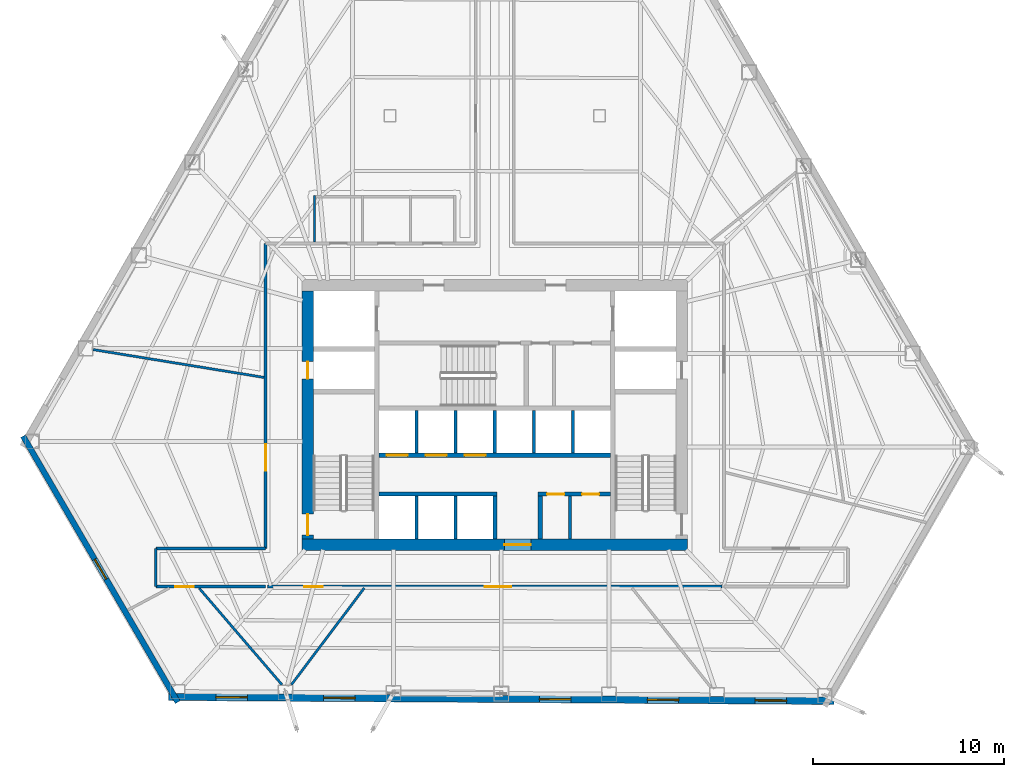
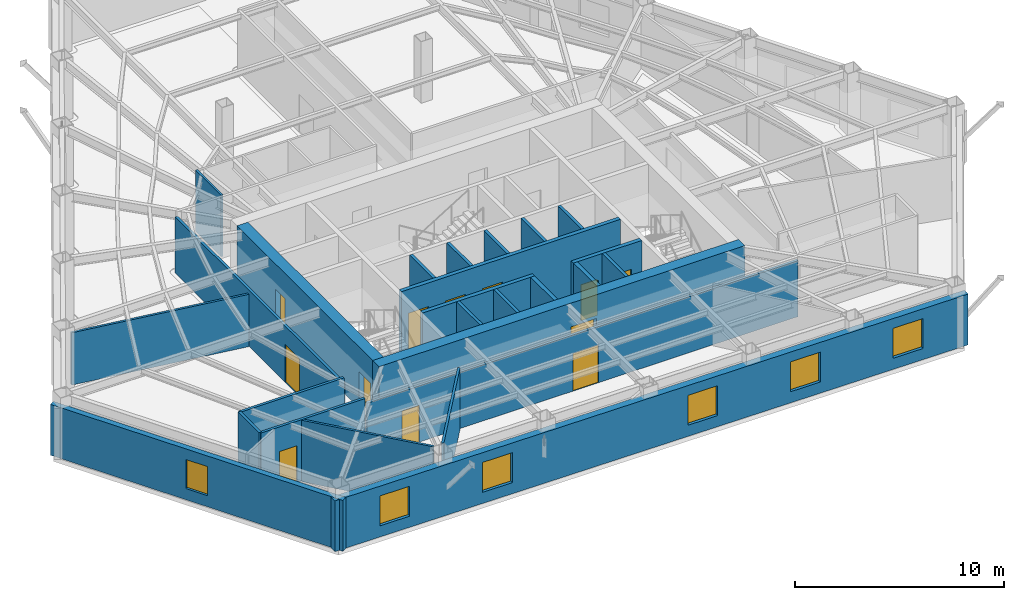
# One storey, part 7 of 12: 26 walls, 12 doors, 6 windows, 18 openings.
"""IFC4 building model written with IfcOpenShell, lengths in metres."""

from ifc_helpers import new_model, si_unit, direction, frame, frame_2d, origin, place, context, subcontext, project, spatial, rectangle, extrude, material, layer, layer_set, type_object, element, fill, save


model = new_model("IFC4")

# Units and contexts
model_context = context("Model", 3, precision=1e-05, world=origin(), true_north=direction((0.0, 1.0)))
body_context = subcontext(model_context, "Body", "Model", "MODEL_VIEW")
ifc_project = project(units=[si_unit("LENGTHUNIT", "METRE"), si_unit("AREAUNIT", "SQUARE_METRE"), si_unit("VOLUMEUNIT", "CUBIC_METRE"), si_unit("PLANEANGLEUNIT", "RADIAN"), si_unit("MASSUNIT", "GRAM", prefix="KILO")], contexts=[model_context])

# Site, building, storey
site_placement = place(None, origin())
site = spatial("IfcSite", under=ifc_project, at=site_placement, CompositionType="ELEMENT")
building_placement = place(site_placement, origin())
building = spatial("IfcBuilding", under=site, at=building_placement, Name="Kavelnor Concourse Tower", CompositionType="ELEMENT")
storey_placement = place(building_placement, frame((0.0, 0.0, 44.5)))
storey = spatial("IfcBuildingStorey", under=building, at=storey_placement, Name="L11", CompositionType="ELEMENT", Elevation=44.5)

# Wall, opening, door
ifc_material_1 = material(Name="Concrete C60/75", Category="concrete")
ifc_layer_1 = layer(ifc_material_1, 0.60009765625, Name="Concrete C60/75")
ifc_layer_set_1 = layer_set([ifc_layer_1], Name="Concrete C60/75")
wall_type_1 = type_object("IfcWallType", Name="WL-CORE-Z1-600", PredefinedType="SOLIDWALL", material=ifc_layer_set_1)
wall_1_placement = place(storey_placement, frame((27.8798828125, 9.300048828125, 0.0), z_axis=(0.0, 0.0, 1.0), x_axis=(1.0, 0.0, 0.0)))
wall_1 = element("IfcWall", 1, at=wall_1_placement, inside=storey, type_object=wall_type_1, Name="L11 Central Core South Shear Wall", PredefinedType="SOLIDWALL", context=body_context, shape_type="SweptSolid", body=[
    extrude(rectangle(XDim=20.240234375, YDim=0.60009765625, at=frame_2d((10.1201171875, 0.0))), origin(), (0.0, 0.0, 1.0), 3.590087890625),
])
opening_1_placement = place(wall_1_placement, frame((10.6201171875, 0.0, 0.0)))
opening_1 = element("IfcOpeningElement", 2, at=opening_1_placement, cuts=wall_1, Name="Opening SD-140", PredefinedType="OPENING", context=body_context, shape_type="SweptSolid", body=[
    extrude(rectangle(XDim=1.39990234375, YDim=2.199951171875, at=frame_2d((0.699951171875, 1.10009765625))), frame((0.0, 0.31005859375, 0.0), z_axis=(0.0, -1.0, 0.0), x_axis=(1.0, 0.0, 0.0)), (0.0, 0.0, 1.0), 0.6201171875),
])
ifc_material_2 = material(Name="Solid-core hardwood timber", Category="wood")
door_type_1 = type_object("IfcDoorType", Name="DR-SUITE-ENTRY-1400", OperationType="NOTDEFINED", PredefinedType="DOOR", material=ifc_material_2)
door_1_placement = place(opening_1_placement, origin())
door_1 = element("IfcDoor", 3, at=door_1_placement, inside=storey, type_object=door_type_1, Name="L11 Passenger Lift Lobby Entry Door", OperationType="SINGLE_SWING_RIGHT", OverallHeight=2.199951171875, OverallWidth=1.39990234375, PredefinedType="DOOR", context=body_context, shape_type="SweptSolid", body=[
    extrude(rectangle(XDim=1.39990234375, YDim=2.199951171875, at=frame_2d((0.699951171875, 1.10009765625))), frame((0.0, 0.02490234375, 0.0), z_axis=(0.0, -1.0, 0.0), x_axis=(1.0, 0.0, 0.0)), (0.0, 0.0, 1.0), 0.050048828125),
])
fill(opening_1, door_1)

# Wall, openings, doors
wall_2_placement = place(storey_placement, frame((28.179931640625, 9.60009765625, 0.0), z_axis=(0.0, 0.0, 1.0), x_axis=(0.0, 1.0, 0.0)))
wall_2 = element("IfcWall", 4, at=wall_2_placement, inside=storey, type_object=wall_type_1, Name="L11 Central Core West Shear Wall", PredefinedType="SOLIDWALL", context=body_context, shape_type="SweptSolid", body=[
    extrude(rectangle(XDim=13.0, YDim=0.60009765625, at=frame_2d((6.5, 0.0))), origin(), (0.0, 0.0, 1.0), 3.590087890625),
])
opening_2_placement = place(wall_2_placement, frame((0.199951171875, 0.0, 0.0)))
opening_2 = element("IfcOpeningElement", 5, at=opening_2_placement, cuts=wall_2, Name="Opening FD-110", PredefinedType="OPENING", context=body_context, shape_type="SweptSolid", body=[
    extrude(rectangle(XDim=1.10009765625, YDim=2.14990234375, at=frame_2d((0.550048828125, 1.074951171875))), frame((0.0, 0.31005859375, 0.0), z_axis=(0.0, -1.0, 0.0), x_axis=(1.0, 0.0, 0.0)), (0.0, 0.0, 1.0), 0.6201171875),
])
opening_3_placement = place(wall_2_placement, frame((8.39990234375, 0.0, 0.0)))
opening_3 = element("IfcOpeningElement", 6, at=opening_3_placement, cuts=wall_2, Name="Opening FD-090", PredefinedType="OPENING", context=body_context, shape_type="SweptSolid", body=[
    extrude(rectangle(XDim=0.89990234375, YDim=2.10009765625, at=frame_2d((0.449951171875, 1.050048828125))), frame((0.0, 0.31005859375, 0.0), z_axis=(0.0, -1.0, 0.0), x_axis=(1.0, 0.0, 0.0)), (0.0, 0.0, 1.0), 0.6201171875),
])
ifc_material_3 = material(Name="Steel Grade 350", Category="steel")
door_type_2 = type_object("IfcDoorType", Name="DR-RISER-FIRE-900", OperationType="NOTDEFINED", PredefinedType="DOOR", material=ifc_material_3)
door_2_placement = place(opening_3_placement, origin())
door_2 = element("IfcDoor", 7, at=door_2_placement, inside=storey, type_object=door_type_2, Name="L11 West Riser Access Door", OperationType="SINGLE_SWING_RIGHT", OverallHeight=2.10009765625, OverallWidth=0.89990234375, PredefinedType="DOOR", context=body_context, shape_type="SweptSolid", body=[
    extrude(rectangle(XDim=0.89990234375, YDim=2.10009765625, at=frame_2d((0.449951171875, 1.050048828125))), frame((0.0, 0.02490234375, 0.0), z_axis=(0.0, -1.0, 0.0), x_axis=(1.0, 0.0, 0.0)), (0.0, 0.0, 1.0), 0.050048828125),
])
fill(opening_3, door_2)
door_type_3 = type_object("IfcDoorType", Name="DR-STAIR-FIRE-1100", OperationType="NOTDEFINED", PredefinedType="DOOR", material=ifc_material_3)
door_3_placement = place(opening_2_placement, origin())
door_3 = element("IfcDoor", 8, at=door_3_placement, inside=storey, type_object=door_type_3, Name="L11 Stair ST1 Fire Door", OperationType="SINGLE_SWING_LEFT", OverallHeight=2.14990234375, OverallWidth=1.10009765625, PredefinedType="DOOR", context=body_context, shape_type="SweptSolid", body=[
    extrude(rectangle(XDim=1.10009765625, YDim=2.14990234375, at=frame_2d((0.550048828125, 1.074951171875))), frame((0.0, 0.02490234375, 0.0), z_axis=(0.0, -1.0, 0.0), x_axis=(1.0, 0.0, 0.0)), (0.0, 0.0, 1.0), 0.050048828125),
])
fill(opening_2, door_3)

# Wall, opening, window
ifc_material_4 = material(Name="Buff ironspot clay face brick masonry", Category="masonry")
ifc_layer_2 = layer(ifc_material_4, 0.300048828125, Name="Buff ironspot clay face brick masonry")
ifc_layer_set_2 = layer_set([ifc_layer_2], Name="Buff ironspot clay face brick masonry")
wall_type_2 = type_object("IfcWallType", Name="WL-EXT-BUFF-BRICK-FOLD-300", PredefinedType="STANDARD", material=ifc_layer_set_2)
wall_3_placement = place(storey_placement, frame((21.372802734375, 1.032958984375, 0.0), z_axis=(0.0, 0.0, 1.0), x_axis=(-0.502582346065, 0.864529343298, 0.0)))
wall_3 = element("IfcWall", 9, at=wall_3_placement, inside=storey, type_object=wall_type_2, Name="L11 Exterior Brick Facade Wall E2", PredefinedType="STANDARD", context=body_context, shape_type="SweptSolid", body=[
    extrude(rectangle(XDim=16.14453125, YDim=0.300048828125, at=frame_2d((8.072265625, 0.0))), origin(), (0.0, 0.0, 1.0), 2.969970703125),
])
opening_4_placement = place(wall_3_placement, frame((7.47216796875, 0.0, 0.64990234375)))
opening_4 = element("IfcOpeningElement", 10, at=opening_4_placement, cuts=wall_3, Name="Opening W-05", PredefinedType="OPENING", context=body_context, shape_type="SweptSolid", body=[
    extrude(rectangle(XDim=1.199951171875, YDim=1.699951171875, at=frame_2d((0.60009765625, 0.85009765625))), frame((0.0, 0.16015625, 0.0), z_axis=(0.0, -1.0, 0.0), x_axis=(1.0, 0.0, 0.0)), (0.0, 0.0, 1.0), 0.320068359375),
])
ifc_material_5 = material(Name="Double low-E argon insulated glazing", Category="glass")
window_type_1 = type_object("IfcWindowType", Name="WIN-FOLD-1200", PartitioningType="SINGLE_PANEL", PredefinedType="WINDOW", material=ifc_material_5)
window_1_placement = place(opening_4_placement, origin())
window_1 = element("IfcWindow", 11, at=window_1_placement, inside=storey, type_object=window_type_1, Name="L11 Chamfer-Fold Facet Window C1", OverallHeight=1.699951171875, OverallWidth=1.199951171875, PartitioningType="SINGLE_PANEL", PredefinedType="WINDOW", context=body_context, shape_type="SweptSolid", body=[
    extrude(rectangle(XDim=1.199951171875, YDim=1.699951171875, at=frame_2d((0.60009765625, 0.85009765625))), frame((0.0, 0.030029296875, 0.0), z_axis=(0.0, -1.0, 0.0), x_axis=(1.0, 0.0, 0.0)), (0.0, 0.0, 1.0), 0.06005859375),
])
fill(opening_4, window_1)

# Wall, openings, windows
ifc_material_6 = material(Name="Red-ochre clay face brick masonry", Category="masonry")
ifc_layer_3 = layer(ifc_material_6, 0.3798828125, Name="Red-ochre clay face brick masonry")
ifc_layer_set_3 = layer_set([ifc_layer_3], Name="Red-ochre clay face brick masonry")
wall_type_3 = type_object("IfcWallType", Name="WL-EXT-RED-BRICK-PIER-380", PredefinedType="STANDARD", material=ifc_layer_set_3)
wall_4_placement = place(storey_placement, frame((55.793701171875, 1.1025390625, 0.0), z_axis=(0.0, 0.0, 1.0), x_axis=(-0.999982073771, 0.005987665294, 0.0)))
wall_4 = element("IfcWall", 12, at=wall_4_placement, inside=storey, type_object=wall_type_3, Name="L11 Exterior Brick Facade Wall E3", PredefinedType="STANDARD", context=body_context, shape_type="SweptSolid", body=[
    extrude(rectangle(XDim=34.902587890625, YDim=0.3798828125, at=frame_2d((17.451171875, 0.0))), origin(), (0.0, 0.0, 1.0), 2.969970703125),
])
opening_5_placement = place(wall_4_placement, frame((30.774169921875, 0.0, 0.64990234375)))
opening_5 = element("IfcOpeningElement", 13, at=opening_5_placement, cuts=wall_4, Name="Opening W-01", PredefinedType="OPENING", context=body_context, shape_type="SweptSolid", body=[
    extrude(rectangle(XDim=1.64990234375, YDim=1.75, at=frame_2d((0.824951171875, 0.875))), frame((0.0, 0.199951171875, 0.0), z_axis=(0.0, -1.0, 0.0), x_axis=(1.0, 0.0, 0.0)), (0.0, 0.0, 1.0), 0.39990234375),
])
opening_6_placement = place(wall_4_placement, frame((25.1162109375, 0.0, 0.64990234375)))
opening_6 = element("IfcOpeningElement", 14, at=opening_6_placement, cuts=wall_4, Name="Opening W-01", PredefinedType="OPENING", context=body_context, shape_type="SweptSolid", body=[
    extrude(rectangle(XDim=1.64990234375, YDim=1.75, at=frame_2d((0.824951171875, 0.875))), frame((0.0, 0.199951171875, 0.0), z_axis=(0.0, -1.0, 0.0), x_axis=(1.0, 0.0, 0.0)), (0.0, 0.0, 1.0), 0.39990234375),
])
opening_7_placement = place(wall_4_placement, frame((13.800048828125, 0.0, 0.64990234375)))
opening_7 = element("IfcOpeningElement", 15, at=opening_7_placement, cuts=wall_4, Name="Opening W-01", PredefinedType="OPENING", context=body_context, shape_type="SweptSolid", body=[
    extrude(rectangle(XDim=1.64990234375, YDim=1.75, at=frame_2d((0.824951171875, 0.875))), frame((0.0, 0.199951171875, 0.0), z_axis=(0.0, -1.0, 0.0), x_axis=(1.0, 0.0, 0.0)), (0.0, 0.0, 1.0), 0.39990234375),
])
opening_8_placement = place(wall_4_placement, frame((8.14208984375, 0.0, 0.64990234375)))
opening_8 = element("IfcOpeningElement", 16, at=opening_8_placement, cuts=wall_4, Name="Opening W-01", PredefinedType="OPENING", context=body_context, shape_type="SweptSolid", body=[
    extrude(rectangle(XDim=1.64990234375, YDim=1.75, at=frame_2d((0.824951171875, 0.875))), frame((0.0, 0.199951171875, 0.0), z_axis=(0.0, -1.0, 0.0), x_axis=(1.0, 0.0, 0.0)), (0.0, 0.0, 1.0), 0.39990234375),
])
opening_9_placement = place(wall_4_placement, frame((2.48388671875, 0.0, 0.64990234375)))
opening_9 = element("IfcOpeningElement", 17, at=opening_9_placement, cuts=wall_4, Name="Opening W-01", PredefinedType="OPENING", context=body_context, shape_type="SweptSolid", body=[
    extrude(rectangle(XDim=1.64990234375, YDim=1.75, at=frame_2d((0.824951171875, 0.875))), frame((0.0, 0.199951171875, 0.0), z_axis=(0.0, -1.0, 0.0), x_axis=(1.0, 0.0, 0.0)), (0.0, 0.0, 1.0), 0.39990234375),
])
window_type_2 = type_object("IfcWindowType", Name="WIN-PIER-Z1-1800", PartitioningType="SINGLE_PANEL", PredefinedType="WINDOW", material=ifc_material_5)
window_2_placement = place(opening_5_placement, origin())
window_2 = element("IfcWindow", 18, at=window_2_placement, inside=storey, type_object=window_type_2, Name="L11 Deep-Set Brick Pier Window F1-B0", OverallHeight=1.75, OverallWidth=1.64990234375, PartitioningType="SINGLE_PANEL", PredefinedType="WINDOW", context=body_context, shape_type="SweptSolid", body=[
    extrude(rectangle(XDim=1.64990234375, YDim=1.75, at=frame_2d((0.824951171875, 0.875))), frame((0.0, 0.030029296875, 0.0), z_axis=(0.0, -1.0, 0.0), x_axis=(1.0, 0.0, 0.0)), (0.0, 0.0, 1.0), 0.06005859375),
])
fill(opening_5, window_2)
window_3_placement = place(opening_6_placement, origin())
window_3 = element("IfcWindow", 19, at=window_3_placement, inside=storey, type_object=window_type_2, Name="L11 Deep-Set Brick Pier Window F1-B1", OverallHeight=1.75, OverallWidth=1.64990234375, PartitioningType="SINGLE_PANEL", PredefinedType="WINDOW", context=body_context, shape_type="SweptSolid", body=[
    extrude(rectangle(XDim=1.64990234375, YDim=1.75, at=frame_2d((0.824951171875, 0.875))), frame((0.0, 0.030029296875, 0.0), z_axis=(0.0, -1.0, 0.0), x_axis=(1.0, 0.0, 0.0)), (0.0, 0.0, 1.0), 0.06005859375),
])
fill(opening_6, window_3)
window_4_placement = place(opening_7_placement, origin())
window_4 = element("IfcWindow", 20, at=window_4_placement, inside=storey, type_object=window_type_2, Name="L11 Deep-Set Brick Pier Window F1-B3", OverallHeight=1.75, OverallWidth=1.64990234375, PartitioningType="SINGLE_PANEL", PredefinedType="WINDOW", context=body_context, shape_type="SweptSolid", body=[
    extrude(rectangle(XDim=1.64990234375, YDim=1.75, at=frame_2d((0.824951171875, 0.875))), frame((0.0, 0.030029296875, 0.0), z_axis=(0.0, -1.0, 0.0), x_axis=(1.0, 0.0, 0.0)), (0.0, 0.0, 1.0), 0.06005859375),
])
fill(opening_7, window_4)
window_5_placement = place(opening_8_placement, origin())
window_5 = element("IfcWindow", 21, at=window_5_placement, inside=storey, type_object=window_type_2, Name="L11 Deep-Set Brick Pier Window F1-B4", OverallHeight=1.75, OverallWidth=1.64990234375, PartitioningType="SINGLE_PANEL", PredefinedType="WINDOW", context=body_context, shape_type="SweptSolid", body=[
    extrude(rectangle(XDim=1.64990234375, YDim=1.75, at=frame_2d((0.824951171875, 0.875))), frame((0.0, 0.030029296875, 0.0), z_axis=(0.0, -1.0, 0.0), x_axis=(1.0, 0.0, 0.0)), (0.0, 0.0, 1.0), 0.06005859375),
])
fill(opening_8, window_5)
window_6_placement = place(opening_9_placement, origin())
window_6 = element("IfcWindow", 22, at=window_6_placement, inside=storey, type_object=window_type_2, Name="L11 Deep-Set Brick Pier Window F1-B5", OverallHeight=1.75, OverallWidth=1.64990234375, PartitioningType="SINGLE_PANEL", PredefinedType="WINDOW", context=body_context, shape_type="SweptSolid", body=[
    extrude(rectangle(XDim=1.64990234375, YDim=1.75, at=frame_2d((0.824951171875, 0.875))), frame((0.0, 0.030029296875, 0.0), z_axis=(0.0, -1.0, 0.0), x_axis=(1.0, 0.0, 0.0)), (0.0, 0.0, 1.0), 0.06005859375),
])
fill(opening_9, window_6)

# Wall
ifc_material_7 = material(Name="Gypsum plasterboard on light-gauge steel studs", Category="steel")
ifc_layer_4 = layer(ifc_material_7, 0.14501953125, Name="Gypsum plasterboard on light-gauge steel studs")
ifc_layer_set_4 = layer_set([ifc_layer_4], Name="Gypsum plasterboard on light-gauge steel studs")
wall_type_4 = type_object("IfcWallType", Name="WL-INT-CORR-145", PredefinedType="PARTITIONING", material=ifc_layer_set_4)
wall_5_placement = place(storey_placement, frame((20.22265625, 9.10009765625, 0.0), z_axis=(0.0, 0.0, 1.0), x_axis=(1.0, 0.0, 0.0)))
element("IfcWall", 23, at=wall_5_placement, inside=storey, type_object=wall_type_4, Name="L11 Corridor Wall WL-L11-CR-01", PredefinedType="PARTITIONING", context=body_context, shape_type="SweptSolid", body=[
    extrude(rectangle(XDim=5.75732421875, YDim=0.14501953125, at=frame_2d((2.878662109375, 0.0))), origin(), (0.0, 0.0, 1.0), 3.590087890625),
])

# Wall, opening, door
wall_6_placement = place(storey_placement, frame((25.97998046875, 9.10009765625, 0.0), z_axis=(0.0, 0.0, 1.0), x_axis=(0.0, 1.0, 0.0)))
wall_6 = element("IfcWall", 24, at=wall_6_placement, inside=storey, type_object=wall_type_4, Name="L11 Corridor Wall WL-L11-CR-02", PredefinedType="PARTITIONING", context=body_context, shape_type="SweptSolid", body=[
    extrude(rectangle(XDim=16.0, YDim=0.14501953125, at=frame_2d((8.0, 0.0))), origin(), (0.0, 0.0, 1.0), 3.278076171875),
])
opening_10_placement = place(wall_6_placement, frame((4.070068359375, 0.0, 0.0)))
opening_10 = element("IfcOpeningElement", 25, at=opening_10_placement, cuts=wall_6, Name="Opening SD-140", PredefinedType="OPENING", context=body_context, shape_type="SweptSolid", body=[
    extrude(rectangle(XDim=1.39990234375, YDim=2.199951171875, at=frame_2d((0.699951171875, 1.10009765625))), frame((0.0, 0.08251953125, 0.0), z_axis=(0.0, -1.0, 0.0), x_axis=(1.0, 0.0, 0.0)), (0.0, 0.0, 1.0), 0.1650390625),
])
door_4_placement = place(opening_10_placement, origin())
door_4 = element("IfcDoor", 26, at=door_4_placement, inside=storey, type_object=door_type_1, Name="L11 Tenant Bookstore Retail Shop 04 Door", OperationType="SINGLE_SWING_RIGHT", OverallHeight=2.199951171875, OverallWidth=1.39990234375, PredefinedType="DOOR", context=body_context, shape_type="SweptSolid", body=[
    extrude(rectangle(XDim=1.39990234375, YDim=2.199951171875, at=frame_2d((0.699951171875, 1.10009765625))), frame((0.0, 0.02490234375, 0.0), z_axis=(0.0, -1.0, 0.0), x_axis=(1.0, 0.0, 0.0)), (0.0, 0.0, 1.0), 0.050048828125),
])
fill(opening_10, door_4)

# Wall, openings, doors
wall_7_placement = place(storey_placement, frame((49.919921875, 7.10009765625, 0.0), z_axis=(0.0, 0.0, 1.0), x_axis=(-1.0, 0.0, 0.0)))
wall_7 = element("IfcWall", 27, at=wall_7_placement, inside=storey, type_object=wall_type_4, Name="L11 Corridor Wall WL-L11-CR-12", PredefinedType="PARTITIONING", context=body_context, shape_type="SweptSolid", body=[
    extrude(rectangle(XDim=23.83984375, YDim=0.14501953125, at=frame_2d((11.919921875, 0.0))), origin(), (0.0, 0.0, 1.0), 3.278076171875),
])
opening_11_placement = place(wall_7_placement, frame((20.934814453125, 0.0, 0.0)))
opening_11 = element("IfcOpeningElement", 28, at=opening_11_placement, cuts=wall_7, Name="Opening OD-098", PredefinedType="OPENING", context=body_context, shape_type="SweptSolid", body=[
    extrude(rectangle(XDim=0.97998046875, YDim=2.14990234375, at=frame_2d((0.489990234375, 1.074951171875))), frame((0.0, 0.08251953125, 0.0), z_axis=(0.0, -1.0, 0.0), x_axis=(1.0, 0.0, 0.0)), (0.0, 0.0, 1.0), 0.1650390625),
])
opening_12_placement = place(wall_7_placement, frame((11.043212890625, 0.0, 0.0)))
opening_12 = element("IfcOpeningElement", 29, at=opening_12_placement, cuts=wall_7, Name="Opening SD-140", PredefinedType="OPENING", context=body_context, shape_type="SweptSolid", body=[
    extrude(rectangle(XDim=1.39990234375, YDim=2.199951171875, at=frame_2d((0.699951171875, 1.10009765625))), frame((0.0, 0.08251953125, 0.0), z_axis=(0.0, -1.0, 0.0), x_axis=(1.0, 0.0, 0.0)), (0.0, 0.0, 1.0), 0.1650390625),
])
door_type_4 = type_object("IfcDoorType", Name="DR-OFFICE-980", OperationType="NOTDEFINED", PredefinedType="DOOR", material=ifc_material_2)
door_5_placement = place(opening_11_placement, origin())
door_5 = element("IfcDoor", 30, at=door_5_placement, inside=storey, type_object=door_type_4, Name="L11 Tenant Bookstore Retail Shop 05 Door", OperationType="SINGLE_SWING_LEFT", OverallHeight=2.14990234375, OverallWidth=0.97998046875, PredefinedType="DOOR", context=body_context, shape_type="SweptSolid", body=[
    extrude(rectangle(XDim=0.97998046875, YDim=2.14990234375, at=frame_2d((0.489990234375, 1.074951171875))), frame((0.0, 0.02490234375, 0.0), z_axis=(0.0, -1.0, 0.0), x_axis=(1.0, 0.0, 0.0)), (0.0, 0.0, 1.0), 0.050048828125),
])
fill(opening_11, door_5)
door_6_placement = place(opening_12_placement, origin())
door_6 = element("IfcDoor", 31, at=door_6_placement, inside=storey, type_object=door_type_1, Name="L11 Workplace Open Office 07 Door", OperationType="SINGLE_SWING_LEFT", OverallHeight=2.199951171875, OverallWidth=1.39990234375, PredefinedType="DOOR", context=body_context, shape_type="SweptSolid", body=[
    extrude(rectangle(XDim=1.39990234375, YDim=2.199951171875, at=frame_2d((0.699951171875, 1.10009765625))), frame((0.0, 0.02490234375, 0.0), z_axis=(0.0, -1.0, 0.0), x_axis=(1.0, 0.0, 0.0)), (0.0, 0.0, 1.0), 0.050048828125),
])
fill(opening_12, door_6)

# Wall, opening, door
wall_8_placement = place(storey_placement, frame((25.97998046875, 7.10009765625, 0.0), z_axis=(0.0, 0.0, 1.0), x_axis=(-1.0, 0.0, 0.0)))
wall_8 = element("IfcWall", 32, at=wall_8_placement, inside=storey, type_object=wall_type_4, Name="L11 Corridor Wall WL-L11-CR-13", PredefinedType="PARTITIONING", context=body_context, shape_type="SweptSolid", body=[
    extrude(rectangle(XDim=5.75732421875, YDim=0.14501953125, at=frame_2d((2.878662109375, 0.0))), origin(), (0.0, 0.0, 1.0), 3.590087890625),
])
opening_13_placement = place(wall_8_placement, frame((3.759521484375, 0.0, 0.0)))
opening_13 = element("IfcOpeningElement", 33, at=opening_13_placement, cuts=wall_8, Name="Opening OD-098", PredefinedType="OPENING", context=body_context, shape_type="SweptSolid", body=[
    extrude(rectangle(XDim=0.97998046875, YDim=2.14990234375, at=frame_2d((0.489990234375, 1.074951171875))), frame((0.0, 0.08251953125, 0.0), z_axis=(0.0, -1.0, 0.0), x_axis=(1.0, 0.0, 0.0)), (0.0, 0.0, 1.0), 0.1650390625),
])
door_7_placement = place(opening_13_placement, origin())
door_7 = element("IfcDoor", 34, at=door_7_placement, inside=storey, type_object=door_type_4, Name="L11 Tenant Bookstore Retail Shop 06 Door", OperationType="SINGLE_SWING_RIGHT", OverallHeight=2.14990234375, OverallWidth=0.97998046875, PredefinedType="DOOR", context=body_context, shape_type="SweptSolid", body=[
    extrude(rectangle(XDim=0.97998046875, YDim=2.14990234375, at=frame_2d((0.489990234375, 1.074951171875))), frame((0.0, 0.02490234375, 0.0), z_axis=(0.0, -1.0, 0.0), x_axis=(1.0, 0.0, 0.0)), (0.0, 0.0, 1.0), 0.050048828125),
])
fill(opening_13, door_7)

# Walls
wall_9_placement = place(storey_placement, frame((20.22265625, 7.10009765625, 0.0), z_axis=(0.0, 0.0, 1.0), x_axis=(0.0, 1.0, 0.0)))
element("IfcWall", 35, at=wall_9_placement, inside=storey, type_object=wall_type_4, Name="L11 Corridor Wall WL-L11-CR-14", PredefinedType="PARTITIONING", context=body_context, shape_type="SweptSolid", body=[
    extrude(rectangle(XDim=2.0, YDim=0.14501953125, at=frame_2d((1.0, 0.0))), origin(), (0.0, 0.0, 1.0), 3.590087890625),
])
ifc_layer_5 = layer(ifc_material_7, 0.1650390625, Name="Gypsum plasterboard on light-gauge steel studs")
ifc_layer_set_5 = layer_set([ifc_layer_5], Name="Gypsum plasterboard on light-gauge steel studs")
wall_type_5 = type_object("IfcWallType", Name="WL-INT-FIRE-165", PredefinedType="PARTITIONING", material=ifc_layer_set_5)
for number, where, z_axis, x_axis, name in (
    (36, (33.89990234375, 9.60009765625, 0.0), (0.0, 0.0, 1.0), (0.0, 1.0, 0.0), "L11 Lift Shaft Divider LP7"),
    (37, (35.949951171875, 9.60009765625, 0.0), (0.0, 0.0, 1.0), (0.0, 1.0, 0.0), "L11 Lift Shaft Divider LP8"),
    (38, (33.89990234375, 14.10009765625, 0.0), (0.0, 0.0, 1.0), (0.0, 1.0, 0.0), "L11 Lift Shaft Divider LP1"),
    (39, (35.949951171875, 14.10009765625, 0.0), (0.0, 0.0, 1.0), (0.0, 1.0, 0.0), "L11 Lift Shaft Divider LP2"),
    (40, (38.0, 14.10009765625, 0.0), (0.0, 0.0, 1.0), (0.0, 1.0, 0.0), "L11 Lift Shaft Divider LP3"),
    (41, (40.050048828125, 14.10009765625, 0.0), (0.0, 0.0, 1.0), (0.0, 1.0, 0.0), "L11 Lift Shaft Divider LP4"),
    (42, (42.10009765625, 14.10009765625, 0.0), (0.0, 0.0, 1.0), (0.0, 1.0, 0.0), "L11 Lift Shaft Divider LP5"),
    (43, (41.949951171875, 9.60009765625, 0.0), (0.0, 0.0, 1.0), (0.0, 1.0, 0.0), "L11 Core WC Partition"),
):
    element("IfcWall", number, at=place(storey_placement, frame(where, z_axis=z_axis, x_axis=x_axis)), inside=storey, type_object=wall_type_5, Name=name, PredefinedType="PARTITIONING", context=body_context, shape_type="SweptSolid", body=[
        extrude(rectangle(XDim=2.239990234375, YDim=0.1650390625, at=frame_2d((1.1201171875, 0.0))), origin(), (0.0, 0.0, 1.0), 3.590087890625),
    ])
ifc_layer_6 = layer(ifc_material_7, 0.125, Name="Gypsum plasterboard on light-gauge steel studs")
ifc_layer_set_6 = layer_set([ifc_layer_6], Name="Gypsum plasterboard on light-gauge steel studs")
wall_type_6 = type_object("IfcWallType", Name="WL-INT-SUITE-125", PredefinedType="PARTITIONING", material=ifc_layer_set_6)
wall_10_placement = place(storey_placement, frame((25.8994140625, 18.0703125, 0.0), z_axis=(0.0, 0.0, 1.0), x_axis=(-0.987001219007, 0.16071276763, 0.0)))
element("IfcWall", 44, at=wall_10_placement, inside=storey, type_object=wall_type_6, Name="L11 Radial Suite Partition 02", PredefinedType="PARTITIONING", context=body_context, shape_type="SweptSolid", body=[
    extrude(rectangle(XDim=9.078125, YDim=0.125, at=frame_2d((4.5390625, 0.0))), origin(), (0.0, 0.0, 1.0), 3.056884765625),
])
wall_11_placement = place(storey_placement, frame((31.1533203125, 7.01953125, 0.0), z_axis=(0.0, 0.0, 1.0), x_axis=(-0.602023418316, -0.79847843039, 0.0)))
element("IfcWall", 45, at=wall_11_placement, inside=storey, type_object=wall_type_6, Name="L11 Radial Suite Partition 04", PredefinedType="PARTITIONING", context=body_context, shape_type="SweptSolid", body=[
    extrude(rectangle(XDim=6.345458984375, YDim=0.125, at=frame_2d((3.1728515625, 0.0))), origin(), (0.0, 0.0, 1.0), 3.590087890625),
])
wall_12_placement = place(storey_placement, frame((22.48779296875, 7.01953125, 0.0), z_axis=(0.0, 0.0, 1.0), x_axis=(0.651248981465, -0.758864127588, 0.0)))
element("IfcWall", 46, at=wall_12_placement, inside=storey, type_object=wall_type_6, Name="L11 Suite Subdivision Partition 04", PredefinedType="PARTITIONING", context=body_context, shape_type="SweptSolid", body=[
    extrude(rectangle(XDim=6.676513671875, YDim=0.125, at=frame_2d((3.33837890625, 0.0))), origin(), (0.0, 0.0, 1.0), 3.590087890625),
])
ifc_layer_7 = layer(ifc_material_7, 0.110107421875, Name="Gypsum plasterboard on light-gauge steel studs")
ifc_layer_set_7 = layer_set([ifc_layer_7], Name="Gypsum plasterboard on light-gauge steel studs")
wall_type_7 = type_object("IfcWallType", Name="WL-INT-WC-110", PredefinedType="PLUMBINGWALL", material=ifc_layer_set_7)
wall_13_placement = place(storey_placement, frame((28.5400390625, 25.169921875, 0.0), z_axis=(0.0, 0.0, 1.0), x_axis=(0.0, 1.0, 0.0)))
element("IfcWall", 47, at=wall_13_placement, inside=storey, type_object=wall_type_7, Name="L11 Sanitary Partition WL-L11-WC-W", PredefinedType="PLUMBINGWALL", context=body_context, shape_type="SweptSolid", body=[
    extrude(rectangle(XDim=2.440185546875, YDim=0.110107421875, at=frame_2d((1.22021484375, 0.0))), origin(), (0.0, 0.0, 1.0), 3.590087890625),
])

# Wall, openings, doors
ifc_material_8 = material(Name="Concrete C50/60", Category="concrete")
ifc_layer_8 = layer(ifc_material_8, 0.219970703125, Name="Concrete C50/60")
ifc_layer_set_8 = layer_set([ifc_layer_8], Name="Concrete C50/60")
wall_type_8 = type_object("IfcWallType", Name="WL-SHAFT-220", PredefinedType="SOLIDWALL", material=ifc_layer_set_8)
wall_14_placement = place(storey_placement, frame((31.93994140625, 13.989990234375, 0.0), z_axis=(0.0, 0.0, 1.0), x_axis=(1.0, 0.0, 0.0)))
wall_14 = element("IfcWall", 48, at=wall_14_placement, inside=storey, type_object=wall_type_8, Name="L11 North Lift Row Shaft Wall", PredefinedType="SOLIDWALL", context=body_context, shape_type="SweptSolid", body=[
    extrude(rectangle(XDim=12.1201171875, YDim=0.219970703125, at=frame_2d((6.06005859375, 0.0))), origin(), (0.0, 0.0, 1.0), 3.590087890625),
])
opening_14_placement = place(wall_14_placement, frame((0.385009765625, 0.0, 0.0)))
opening_14 = element("IfcOpeningElement", 49, at=opening_14_placement, cuts=wall_14, Name="Opening LD-110", PredefinedType="OPENING", context=body_context, shape_type="SweptSolid", body=[
    extrude(rectangle(XDim=1.10009765625, YDim=2.199951171875, at=frame_2d((0.550048828125, 1.10009765625))), frame((0.0, 0.1201171875, 0.0), z_axis=(0.0, -1.0, 0.0), x_axis=(1.0, 0.0, 0.0)), (0.0, 0.0, 1.0), 0.239990234375),
])
opening_15_placement = place(wall_14_placement, frame((2.43505859375, 0.0, 0.0)))
opening_15 = element("IfcOpeningElement", 50, at=opening_15_placement, cuts=wall_14, Name="Opening LD-110", PredefinedType="OPENING", context=body_context, shape_type="SweptSolid", body=[
    extrude(rectangle(XDim=1.10009765625, YDim=2.199951171875, at=frame_2d((0.550048828125, 1.10009765625))), frame((0.0, 0.1201171875, 0.0), z_axis=(0.0, -1.0, 0.0), x_axis=(1.0, 0.0, 0.0)), (0.0, 0.0, 1.0), 0.239990234375),
])
opening_16_placement = place(wall_14_placement, frame((4.485107421875, 0.0, 0.0)))
opening_16 = element("IfcOpeningElement", 51, at=opening_16_placement, cuts=wall_14, Name="Opening LD-110", PredefinedType="OPENING", context=body_context, shape_type="SweptSolid", body=[
    extrude(rectangle(XDim=1.10009765625, YDim=2.199951171875, at=frame_2d((0.550048828125, 1.10009765625))), frame((0.0, 0.1201171875, 0.0), z_axis=(0.0, -1.0, 0.0), x_axis=(1.0, 0.0, 0.0)), (0.0, 0.0, 1.0), 0.239990234375),
])
door_type_5 = type_object("IfcDoorType", Name="DR-LIFT-SLIDING-1100", OperationType="NOTDEFINED", PredefinedType="DOOR", material=ifc_material_3)
door_8_placement = place(opening_14_placement, origin())
door_8 = element("IfcDoor", 52, at=door_8_placement, inside=storey, type_object=door_type_5, Name="L11 Lift LP1 Landing Door", OperationType="DOUBLE_DOOR_SLIDING", OverallHeight=2.199951171875, OverallWidth=1.10009765625, PredefinedType="DOOR", context=body_context, shape_type="SweptSolid", body=[
    extrude(rectangle(XDim=1.10009765625, YDim=2.199951171875, at=frame_2d((0.550048828125, 1.10009765625))), frame((0.0, 0.02490234375, 0.0), z_axis=(0.0, -1.0, 0.0), x_axis=(1.0, 0.0, 0.0)), (0.0, 0.0, 1.0), 0.050048828125),
])
fill(opening_14, door_8)
door_9_placement = place(opening_15_placement, origin())
door_9 = element("IfcDoor", 53, at=door_9_placement, inside=storey, type_object=door_type_5, Name="L11 Lift LP2 Landing Door", OperationType="DOUBLE_DOOR_SLIDING", OverallHeight=2.199951171875, OverallWidth=1.10009765625, PredefinedType="DOOR", context=body_context, shape_type="SweptSolid", body=[
    extrude(rectangle(XDim=1.10009765625, YDim=2.199951171875, at=frame_2d((0.550048828125, 1.10009765625))), frame((0.0, 0.02490234375, 0.0), z_axis=(0.0, -1.0, 0.0), x_axis=(1.0, 0.0, 0.0)), (0.0, 0.0, 1.0), 0.050048828125),
])
fill(opening_15, door_9)
door_10_placement = place(opening_16_placement, origin())
door_10 = element("IfcDoor", 54, at=door_10_placement, inside=storey, type_object=door_type_5, Name="L11 Lift LP3 Landing Door", OperationType="DOUBLE_DOOR_SLIDING", OverallHeight=2.199951171875, OverallWidth=1.10009765625, PredefinedType="DOOR", context=body_context, shape_type="SweptSolid", body=[
    extrude(rectangle(XDim=1.10009765625, YDim=2.199951171875, at=frame_2d((0.550048828125, 1.10009765625))), frame((0.0, 0.02490234375, 0.0), z_axis=(0.0, -1.0, 0.0), x_axis=(1.0, 0.0, 0.0)), (0.0, 0.0, 1.0), 0.050048828125),
])
fill(opening_16, door_10)

# Wall
wall_15_placement = place(storey_placement, frame((31.93994140625, 11.949951171875, 0.0), z_axis=(0.0, 0.0, 1.0), x_axis=(1.0, 0.0, 0.0)))
element("IfcWall", 55, at=wall_15_placement, inside=storey, type_object=wall_type_8, Name="L11 High-Rise Lift Bank North Wall", PredefinedType="SOLIDWALL", context=body_context, shape_type="SweptSolid", body=[
    extrude(rectangle(XDim=6.18994140625, YDim=0.219970703125, at=frame_2d((3.094970703125, 0.0))), origin(), (0.0, 0.0, 1.0), 3.590087890625),
])

# Wall, openings, doors
wall_16_placement = place(storey_placement, frame((40.280029296875, 11.949951171875, 0.0), z_axis=(0.0, 0.0, 1.0), x_axis=(1.0, 0.0, 0.0)))
wall_16 = element("IfcWall", 56, at=wall_16_placement, inside=storey, type_object=wall_type_8, Name="L11 Core South Support North Wall", PredefinedType="SOLIDWALL", context=body_context, shape_type="SweptSolid", body=[
    extrude(rectangle(XDim=3.780029296875, YDim=0.219970703125, at=frame_2d((1.89013671875, 0.0))), origin(), (0.0, 0.0, 1.0), 3.590087890625),
])
opening_17_placement = place(wall_16_placement, frame((0.469970703125, 0.0, 0.0)))
opening_17 = element("IfcOpeningElement", 57, at=opening_17_placement, cuts=wall_16, Name="Opening FD-090", PredefinedType="OPENING", context=body_context, shape_type="SweptSolid", body=[
    extrude(rectangle(XDim=0.89990234375, YDim=2.10009765625, at=frame_2d((0.449951171875, 1.050048828125))), frame((0.0, 0.1201171875, 0.0), z_axis=(0.0, -1.0, 0.0), x_axis=(1.0, 0.0, 0.0)), (0.0, 0.0, 1.0), 0.239990234375),
])
opening_18_placement = place(wall_16_placement, frame((2.300048828125, 0.0, 0.0)))
opening_18 = element("IfcOpeningElement", 58, at=opening_18_placement, cuts=wall_16, Name="Opening FD-090", PredefinedType="OPENING", context=body_context, shape_type="SweptSolid", body=[
    extrude(rectangle(XDim=0.89990234375, YDim=2.10009765625, at=frame_2d((0.449951171875, 1.050048828125))), frame((0.0, 0.1201171875, 0.0), z_axis=(0.0, -1.0, 0.0), x_axis=(1.0, 0.0, 0.0)), (0.0, 0.0, 1.0), 0.239990234375),
])
door_11_placement = place(opening_17_placement, origin())
door_11 = element("IfcDoor", 59, at=door_11_placement, inside=storey, type_object=door_type_2, Name="L11 Staff WC Door", OperationType="SINGLE_SWING_LEFT", OverallHeight=2.10009765625, OverallWidth=0.89990234375, PredefinedType="DOOR", context=body_context, shape_type="SweptSolid", body=[
    extrude(rectangle(XDim=0.89990234375, YDim=2.10009765625, at=frame_2d((0.449951171875, 1.050048828125))), frame((0.0, 0.02490234375, 0.0), z_axis=(0.0, -1.0, 0.0), x_axis=(1.0, 0.0, 0.0)), (0.0, 0.0, 1.0), 0.050048828125),
])
fill(opening_17, door_11)
door_12_placement = place(opening_18_placement, origin())
door_12 = element("IfcDoor", 60, at=door_12_placement, inside=storey, type_object=door_type_2, Name="L11 Core Comms Door", OperationType="SINGLE_SWING_RIGHT", OverallHeight=2.10009765625, OverallWidth=0.89990234375, PredefinedType="DOOR", context=body_context, shape_type="SweptSolid", body=[
    extrude(rectangle(XDim=0.89990234375, YDim=2.10009765625, at=frame_2d((0.449951171875, 1.050048828125))), frame((0.0, 0.02490234375, 0.0), z_axis=(0.0, -1.0, 0.0), x_axis=(1.0, 0.0, 0.0)), (0.0, 0.0, 1.0), 0.050048828125),
])
fill(opening_18, door_12)

# Walls
for number, where, z_axis, x_axis, name in (
    (61, (38.02001953125, 9.60009765625, 0.0), (0.0, 0.0, 1.0), (0.0, 1.0, 0.0), "L11 Lift Lobby Throat West Wall"),
    (62, (40.389892578125, 9.60009765625, 0.0), (0.0, 0.0, 1.0), (0.0, 1.0, 0.0), "L11 Lift Lobby Throat East Wall"),
):
    element("IfcWall", number, at=place(storey_placement, frame(where, z_axis=z_axis, x_axis=x_axis)), inside=storey, type_object=wall_type_8, Name=name, PredefinedType="SOLIDWALL", context=body_context, shape_type="SweptSolid", body=[
        extrude(rectangle(XDim=2.239990234375, YDim=0.219970703125, at=frame_2d((1.1201171875, 0.0))), origin(), (0.0, 0.0, 1.0), 3.590087890625),
    ])

save(model, "model.ifc")
